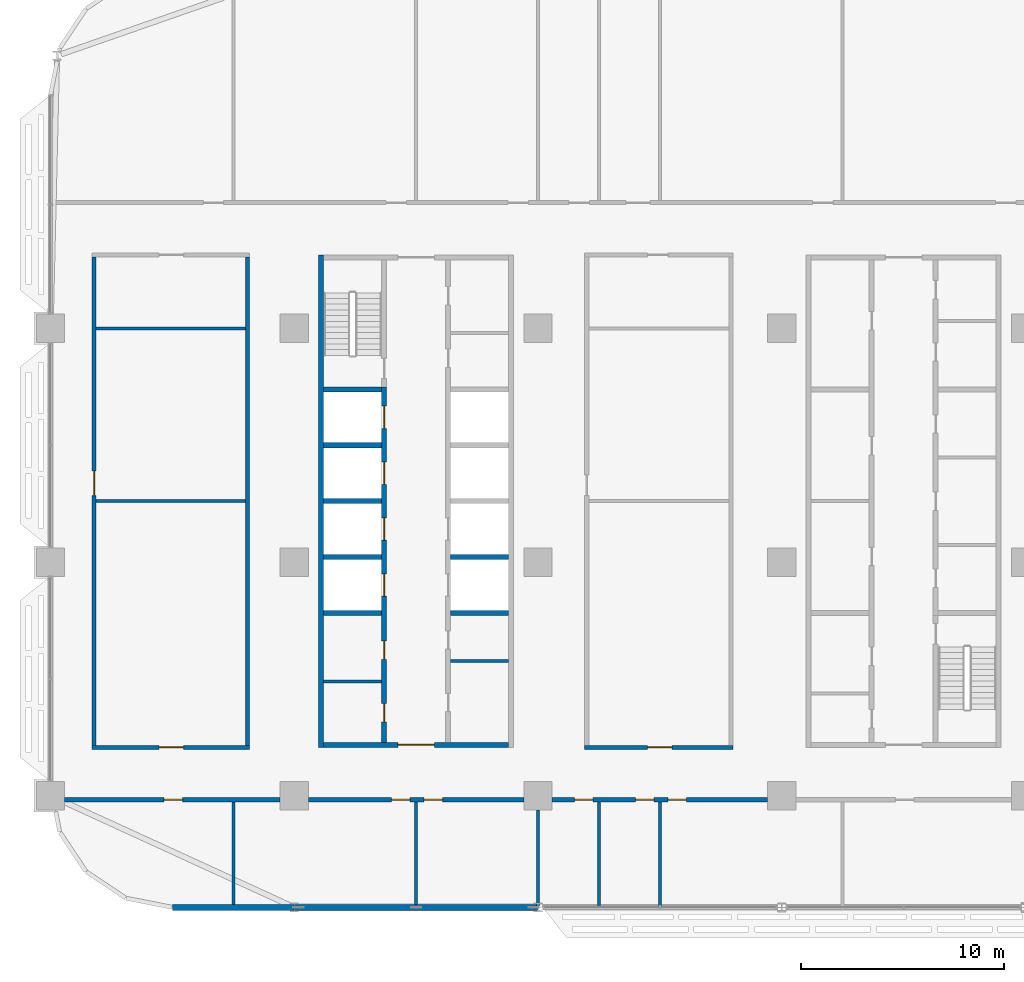
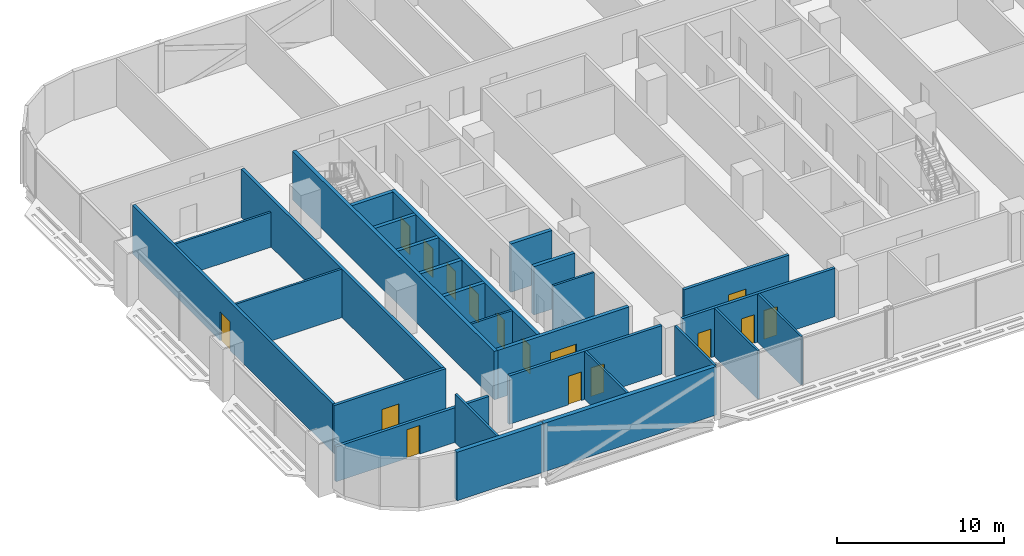
# One storey, part 12 of 29: 28 walls, 16 doors, 16 openings.
"""IFC4 building model written with IfcOpenShell, lengths in metres."""

from ifc_helpers import new_model, si_unit, direction, frame, frame_2d, origin, place, context, subcontext, project, spatial, rectangle, extrude, material, layer, layer_set, type_object, element, fill, save


model = new_model("IFC4")

# Units and contexts
model_context = context("Model", 3, precision=1e-05, world=origin(), true_north=direction((0.0, 1.0)))
body_context = subcontext(model_context, "Body", "Model", "MODEL_VIEW")
ifc_project = project(units=[si_unit("LENGTHUNIT", "METRE"), si_unit("AREAUNIT", "SQUARE_METRE"), si_unit("VOLUMEUNIT", "CUBIC_METRE"), si_unit("PLANEANGLEUNIT", "RADIAN"), si_unit("MASSUNIT", "GRAM", prefix="KILO")], contexts=[model_context])

# Site, building, storey
site_placement = place(None, origin())
site = spatial("IfcSite", under=ifc_project, at=site_placement, CompositionType="ELEMENT")
building_placement = place(site_placement, origin())
building = spatial("IfcBuilding", under=site, at=building_placement, Name="Mahtab Terrace Research Tower", CompositionType="ELEMENT")
storey_placement = place(building_placement, frame((0.0, 0.0, 113.5)))
storey = spatial("IfcBuildingStorey", under=building, at=storey_placement, Name="L26", CompositionType="ELEMENT", Elevation=113.5)

# Walls
ifc_material_1 = material(Name="Gypsum board partition")
ifc_layer_1 = layer(ifc_material_1, 0.14990234375)
ifc_layer_set_1 = layer_set([ifc_layer_1], Name="Core partition 150")
wall_type_1 = type_object("IfcWallType", Name="Core partition 150", PredefinedType="PARTITIONING", material=ifc_layer_set_1)
for number, where, z_axis, x_axis, name in (
    (1, (-28.550048828125, -5.875, 0.0), (0.0, 0.0, 1.0), (1.0, 0.0, 0.0), "Core wall A pWS-888"),
    (2, (-22.300048828125, -4.875, 0.0), (0.0, 0.0, 1.0), (1.0, 0.0, 0.0), "Core wall A pES-788"),
):
    element("IfcWall", number, at=place(storey_placement, frame(where, z_axis=z_axis, x_axis=x_axis)), inside=storey, type_object=wall_type_1, Name=name, PredefinedType="PARTITIONING", context=body_context, shape_type="SweptSolid", body=[
        extrude(rectangle(XDim=2.85009765625, YDim=0.14990234375, at=frame_2d((1.425048828125, 0.0))), origin(), (0.0, 0.0, 1.0), 3.550048828125),
    ])
ifc_material_2 = material(Name="Concrete C70/85", Category="concrete")
ifc_layer_2 = layer(ifc_material_2, 0.25)
ifc_layer_set_2 = layer_set([ifc_layer_2], Name="Core wall 250")
wall_type_2 = type_object("IfcWallType", Name="Core wall 250", PredefinedType="SOLIDWALL", material=ifc_layer_set_2)
wall_1_placement = place(storey_placement, frame((-28.675048828125, 15.125, 0.0), z_axis=(0.0, 0.0, 1.0), x_axis=(0.0, -1.0, 0.0)))
element("IfcWall", 3, at=wall_1_placement, inside=storey, type_object=wall_type_2, Name="Core wall A outerW", PredefinedType="SOLIDWALL", context=body_context, shape_type="SweptSolid", body=[
    extrude(rectangle(XDim=24.25, YDim=0.25, at=frame_2d((12.125, 0.0))), origin(), (0.0, 0.0, 1.0), 3.550048828125),
])

# Wall, opening, door
wall_2_placement = place(storey_placement, frame((-19.449951171875, -9.0, 0.0), z_axis=(0.0, 0.0, 1.0), x_axis=(-1.0, 0.0, 0.0)))
wall_2 = element("IfcWall", 4, at=wall_2_placement, inside=storey, type_object=wall_type_2, Name="Core wall A endS", PredefinedType="SOLIDWALL", context=body_context, shape_type="SweptSolid", body=[
    extrude(rectangle(XDim=9.10009765625, YDim=0.25, at=frame_2d((4.550048828125, 0.0))), origin(), (0.0, 0.0, 1.0), 3.550048828125),
])
opening_1_placement = place(wall_2_placement, frame((3.64990234375, 0.0, 0.0)))
opening_1 = element("IfcOpeningElement", 5, at=opening_1_placement, cuts=wall_2, Name="Opening A-S1", PredefinedType="OPENING", context=body_context, shape_type="SweptSolid", body=[
    extrude(rectangle(XDim=1.800048828125, YDim=2.10009765625, at=frame_2d((0.89990234375, 1.050048828125))), frame((0.0, 0.135009765625, 0.0), z_axis=(0.0, -1.0, 0.0), x_axis=(1.0, 0.0, 0.0)), (0.0, 0.0, 1.0), 0.27001953125),
])
ifc_material_3 = material(Name="Steel fire door", Category="steel")
door_type_1 = type_object("IfcDoorType", Name="Lobby double door 1800x2100 1 HR", OperationType="DOUBLE_DOOR_SINGLE_SWING", PredefinedType="DOOR", material=ifc_material_3)
door_1_placement = place(opening_1_placement, origin())
door_1 = element("IfcDoor", 6, at=door_1_placement, inside=storey, type_object=door_type_1, Name="Core entrance door A S", OperationType="DOUBLE_DOOR_SINGLE_SWING", OverallHeight=2.10009765625, OverallWidth=1.800048828125, PredefinedType="DOOR", context=body_context, shape_type="SweptSolid", body=[
    extrude(rectangle(XDim=1.800048828125, YDim=2.10009765625, at=frame_2d((0.89990234375, 1.050048828125))), frame((0.0, 0.02490234375, 0.0), z_axis=(0.0, -1.0, 0.0), x_axis=(1.0, 0.0, 0.0)), (0.0, 0.0, 1.0), 0.050048828125),
])
fill(opening_1, door_1)

# Wall, openings, doors
wall_3_placement = place(storey_placement, frame((-25.574951171875, -8.875, 0.0), z_axis=(0.0, 0.0, 1.0), x_axis=(0.0, 1.0, 0.0)))
wall_3 = element("IfcWall", 7, at=wall_3_placement, inside=storey, type_object=wall_type_2, Name="Core wall A innerWSL", PredefinedType="SOLIDWALL", context=body_context, shape_type="SweptSolid", body=[
    extrude(rectangle(XDim=17.5, YDim=0.25, at=frame_2d((8.75, 0.0))), origin(), (0.0, 0.0, 1.0), 3.550048828125),
])
opening_2_placement = place(wall_3_placement, frame((7.199951171875, 0.0, 0.0)))
opening_2 = element("IfcOpeningElement", 8, at=opening_2_placement, cuts=wall_3, Name="Opening LD01-L26", PredefinedType="OPENING", context=body_context, shape_type="SweptSolid", body=[
    extrude(rectangle(XDim=1.10009765625, YDim=2.10009765625, at=frame_2d((0.550048828125, 1.050048828125))), frame((0.0, 0.135009765625, 0.0), z_axis=(0.0, -1.0, 0.0), x_axis=(1.0, 0.0, 0.0)), (0.0, 0.0, 1.0), 0.27001953125),
])
opening_3_placement = place(wall_3_placement, frame((9.949951171875, 0.0, 0.0)))
opening_3 = element("IfcOpeningElement", 9, at=opening_3_placement, cuts=wall_3, Name="Opening LD02-L26", PredefinedType="OPENING", context=body_context, shape_type="SweptSolid", body=[
    extrude(rectangle(XDim=1.10009765625, YDim=2.10009765625, at=frame_2d((0.550048828125, 1.050048828125))), frame((0.0, 0.135009765625, 0.0), z_axis=(0.0, -1.0, 0.0), x_axis=(1.0, 0.0, 0.0)), (0.0, 0.0, 1.0), 0.27001953125),
])
opening_4_placement = place(wall_3_placement, frame((12.699951171875, 0.0, 0.0)))
opening_4 = element("IfcOpeningElement", 10, at=opening_4_placement, cuts=wall_3, Name="Opening LD03-L26", PredefinedType="OPENING", context=body_context, shape_type="SweptSolid", body=[
    extrude(rectangle(XDim=1.10009765625, YDim=2.10009765625, at=frame_2d((0.550048828125, 1.050048828125))), frame((0.0, 0.135009765625, 0.0), z_axis=(0.0, -1.0, 0.0), x_axis=(1.0, 0.0, 0.0)), (0.0, 0.0, 1.0), 0.27001953125),
])
opening_5_placement = place(wall_3_placement, frame((15.449951171875, 0.0, 0.0)))
opening_5 = element("IfcOpeningElement", 11, at=opening_5_placement, cuts=wall_3, Name="Opening LD04-L26", PredefinedType="OPENING", context=body_context, shape_type="SweptSolid", body=[
    extrude(rectangle(XDim=1.10009765625, YDim=2.10009765625, at=frame_2d((0.550048828125, 1.050048828125))), frame((0.0, 0.135009765625, 0.0), z_axis=(0.0, -1.0, 0.0), x_axis=(1.0, 0.0, 0.0)), (0.0, 0.0, 1.0), 0.27001953125),
])
opening_6_placement = place(wall_3_placement, frame((1.012451171875, 0.0, 0.0)))
opening_6 = element("IfcOpeningElement", 12, at=opening_6_placement, cuts=wall_3, Name="Opening A-R1", PredefinedType="OPENING", context=body_context, shape_type="SweptSolid", body=[
    extrude(rectangle(XDim=0.89990234375, YDim=2.10009765625, at=frame_2d((0.449951171875, 1.050048828125))), frame((0.0, 0.135009765625, 0.0), z_axis=(0.0, -1.0, 0.0), x_axis=(1.0, 0.0, 0.0)), (0.0, 0.0, 1.0), 0.27001953125),
])
opening_7_placement = place(wall_3_placement, frame((4.08740234375, 0.0, 0.0)))
opening_7 = element("IfcOpeningElement", 13, at=opening_7_placement, cuts=wall_3, Name="Opening A-R2", PredefinedType="OPENING", context=body_context, shape_type="SweptSolid", body=[
    extrude(rectangle(XDim=0.89990234375, YDim=2.10009765625, at=frame_2d((0.449951171875, 1.050048828125))), frame((0.0, 0.135009765625, 0.0), z_axis=(0.0, -1.0, 0.0), x_axis=(1.0, 0.0, 0.0)), (0.0, 0.0, 1.0), 0.27001953125),
])
ifc_material_4 = material(Name="Stainless steel AISI 304", Category="steel")
door_type_2 = type_object("IfcDoorType", Name="Landing door 1100x2100", OperationType="DOUBLE_DOOR_SLIDING", PredefinedType="DOOR", material=ifc_material_4)
door_2_placement = place(opening_2_placement, origin())
door_2 = element("IfcDoor", 14, at=door_2_placement, inside=storey, type_object=door_type_2, Name="Landing door LR1 L26", OperationType="DOUBLE_DOOR_SLIDING", OverallHeight=2.10009765625, OverallWidth=1.10009765625, PredefinedType="DOOR", context=body_context, shape_type="SweptSolid", body=[
    extrude(rectangle(XDim=1.10009765625, YDim=2.10009765625, at=frame_2d((0.550048828125, 1.050048828125))), frame((0.0, 0.02490234375, 0.0), z_axis=(0.0, -1.0, 0.0), x_axis=(1.0, 0.0, 0.0)), (0.0, 0.0, 1.0), 0.050048828125),
])
fill(opening_2, door_2)
door_3_placement = place(opening_3_placement, origin())
door_3 = element("IfcDoor", 15, at=door_3_placement, inside=storey, type_object=door_type_2, Name="Landing door LR2 L26", OperationType="DOUBLE_DOOR_SLIDING", OverallHeight=2.10009765625, OverallWidth=1.10009765625, PredefinedType="DOOR", context=body_context, shape_type="SweptSolid", body=[
    extrude(rectangle(XDim=1.10009765625, YDim=2.10009765625, at=frame_2d((0.550048828125, 1.050048828125))), frame((0.0, 0.02490234375, 0.0), z_axis=(0.0, -1.0, 0.0), x_axis=(1.0, 0.0, 0.0)), (0.0, 0.0, 1.0), 0.050048828125),
])
fill(opening_3, door_3)
door_4_placement = place(opening_4_placement, origin())
door_4 = element("IfcDoor", 16, at=door_4_placement, inside=storey, type_object=door_type_2, Name="Landing door LR3 L26", OperationType="DOUBLE_DOOR_SLIDING", OverallHeight=2.10009765625, OverallWidth=1.10009765625, PredefinedType="DOOR", context=body_context, shape_type="SweptSolid", body=[
    extrude(rectangle(XDim=1.10009765625, YDim=2.10009765625, at=frame_2d((0.550048828125, 1.050048828125))), frame((0.0, 0.02490234375, 0.0), z_axis=(0.0, -1.0, 0.0), x_axis=(1.0, 0.0, 0.0)), (0.0, 0.0, 1.0), 0.050048828125),
])
fill(opening_4, door_4)
door_5_placement = place(opening_5_placement, origin())
door_5 = element("IfcDoor", 17, at=door_5_placement, inside=storey, type_object=door_type_2, Name="Landing door LR4 L26", OperationType="DOUBLE_DOOR_SLIDING", OverallHeight=2.10009765625, OverallWidth=1.10009765625, PredefinedType="DOOR", context=body_context, shape_type="SweptSolid", body=[
    extrude(rectangle(XDim=1.10009765625, YDim=2.10009765625, at=frame_2d((0.550048828125, 1.050048828125))), frame((0.0, 0.02490234375, 0.0), z_axis=(0.0, -1.0, 0.0), x_axis=(1.0, 0.0, 0.0)), (0.0, 0.0, 1.0), 0.050048828125),
])
fill(opening_5, door_5)
door_type_3 = type_object("IfcDoorType", Name="Room door 900x2100 1 HR", OperationType="NOTDEFINED", PredefinedType="DOOR", material=ifc_material_3)
door_6_placement = place(opening_6_placement, origin())
door_6 = element("IfcDoor", 18, at=door_6_placement, inside=storey, type_object=door_type_3, Name="Staff WC door", OperationType="SINGLE_SWING_LEFT", OverallHeight=2.10009765625, OverallWidth=0.89990234375, PredefinedType="DOOR", context=body_context, shape_type="SweptSolid", body=[
    extrude(rectangle(XDim=0.89990234375, YDim=2.10009765625, at=frame_2d((0.449951171875, 1.050048828125))), frame((0.0, 0.02490234375, 0.0), z_axis=(0.0, -1.0, 0.0), x_axis=(1.0, 0.0, 0.0)), (0.0, 0.0, 1.0), 0.050048828125),
])
fill(opening_6, door_6)
door_7_placement = place(opening_7_placement, origin())
door_7 = element("IfcDoor", 19, at=door_7_placement, inside=storey, type_object=door_type_3, Name="Accessible WC door", OperationType="SINGLE_SWING_RIGHT", OverallHeight=2.10009765625, OverallWidth=0.89990234375, PredefinedType="DOOR", context=body_context, shape_type="SweptSolid", body=[
    extrude(rectangle(XDim=0.89990234375, YDim=2.10009765625, at=frame_2d((0.449951171875, 1.050048828125))), frame((0.0, 0.02490234375, 0.0), z_axis=(0.0, -1.0, 0.0), x_axis=(1.0, 0.0, 0.0)), (0.0, 0.0, 1.0), 0.050048828125),
])
fill(opening_7, door_7)

# Walls
for number, where, z_axis, x_axis, name in (
    (20, (-28.550048828125, -2.5, 0.0), (0.0, 0.0, 1.0), (1.0, 0.0, 0.0), "Core wall A divW0"),
    (21, (-28.550048828125, 0.25, 0.0), (0.0, 0.0, 1.0), (1.0, 0.0, 0.0), "Core wall A divW1"),
    (22, (-28.550048828125, 3.0, 0.0), (0.0, 0.0, 1.0), (1.0, 0.0, 0.0), "Core wall A divW2"),
    (23, (-28.550048828125, 5.75, 0.0), (0.0, 0.0, 1.0), (1.0, 0.0, 0.0), "Core wall A divW3"),
    (24, (-28.550048828125, 8.5, 0.0), (0.0, 0.0, 1.0), (1.0, 0.0, 0.0), "Core wall A divW4"),
    (25, (-22.300048828125, -2.5, 0.0), (0.0, 0.0, 1.0), (1.0, 0.0, 0.0), "Core wall A divE0"),
    (26, (-22.300048828125, 0.25, 0.0), (0.0, 0.0, 1.0), (1.0, 0.0, 0.0), "Core wall A divE1"),
):
    element("IfcWall", number, at=place(storey_placement, frame(where, z_axis=z_axis, x_axis=x_axis)), inside=storey, type_object=wall_type_2, Name=name, PredefinedType="SOLIDWALL", context=body_context, shape_type="SweptSolid", body=[
        extrude(rectangle(XDim=2.85009765625, YDim=0.25, at=frame_2d((1.425048828125, 0.0))), origin(), (0.0, 0.0, 1.0), 3.550048828125),
    ])
ifc_material_5 = material(Name="Black aluminium cladding panel", Category="aluminium")
ifc_layer_3 = layer(ifc_material_5, 0.300048828125)
ifc_layer_set_3 = layer_set([ifc_layer_3], Name="Opaque facade wall 300")
wall_type_3 = type_object("IfcWallType", Name="Opaque facade wall 300", PredefinedType="NOTDEFINED", material=ifc_layer_set_3)
wall_4_placement = place(storey_placement, frame((-36.0, -17.0, 0.0), z_axis=(0.0, 0.0, 1.0), x_axis=(1.0, 0.0, 0.0)))
element("IfcWall", 27, at=wall_4_placement, inside=storey, type_object=wall_type_3, Name="Opaque facade wall L26 S23", PredefinedType="NOTDEFINED", context=body_context, shape_type="SweptSolid", body=[
    extrude(rectangle(XDim=5.97900390625, YDim=0.300048828125, at=frame_2d((2.989501953125, 0.0))), origin(), (0.0, 0.0, 1.0), 3.550048828125),
])
wall_5_placement = place(storey_placement, frame((-29.97900390625, -17.0, 0.0), z_axis=(0.0, 0.0, 1.0), x_axis=(1.0, 0.0, 0.0)))
element("IfcWall", 28, at=wall_5_placement, inside=storey, type_object=wall_type_3, Name="Opaque facade wall L26 S24", PredefinedType="NOTDEFINED", context=body_context, shape_type="SweptSolid", body=[
    extrude(rectangle(XDim=11.9580078125, YDim=0.300048828125, at=frame_2d((5.97900390625, 0.0))), origin(), (0.0, 0.0, 1.0), 3.550048828125),
])

# Wall, opening, door
ifc_material_6 = material(Name="Gypsum board corridor wall on steel studs", Category="steel")
ifc_layer_4 = layer(ifc_material_6, 0.199951171875)
ifc_layer_set_4 = layer_set([ifc_layer_4], Name="WALL CORRIDOR 200")
wall_type_4 = type_object("IfcWallType", Name="WALL CORRIDOR 200", PredefinedType="PARTITIONING", material=ifc_layer_set_4)
wall_6_placement = place(storey_placement, frame((-41.300048828125, -11.699951171875, 0.0), z_axis=(0.0, 0.0, 1.0), x_axis=(1.0, 0.0, 0.0)))
wall_6 = element("IfcWall", 29, at=wall_6_placement, inside=storey, type_object=wall_type_4, Name="L26-W001", PredefinedType="PARTITIONING", context=body_context, shape_type="SweptSolid", body=[
    extrude(rectangle(XDim=10.60009765625, YDim=0.199951171875, at=frame_2d((5.300048828125, 0.0))), origin(), (0.0, 0.0, 1.0), 2.55126953125),
])
opening_8_placement = place(wall_6_placement, frame((4.89990234375, 0.0, 0.0)))
opening_8 = element("IfcOpeningElement", 30, at=opening_8_placement, cuts=wall_6, Name="Opening L26-101", PredefinedType="OPENING", context=body_context, shape_type="SweptSolid", body=[
    extrude(rectangle(XDim=0.89990234375, YDim=2.10009765625, at=frame_2d((0.449951171875, 1.050048828125))), frame((0.0, 0.10986328125, 0.0), z_axis=(0.0, -1.0, 0.0), x_axis=(1.0, 0.0, 0.0)), (0.0, 0.0, 1.0), 0.219970703125),
])
ifc_material_7 = material(Name="Timber door leaf in steel frame", Category="steel")
door_type_4 = type_object("IfcDoorType", Name="DOOR 0900X2100 FD30S", OperationType="SINGLE_SWING_LEFT", PredefinedType="DOOR", material=ifc_material_7)
door_8_placement = place(opening_8_placement, origin())
door_8 = element("IfcDoor", 31, at=door_8_placement, inside=storey, type_object=door_type_4, Name="Door L26-101", OperationType="SINGLE_SWING_LEFT", OverallHeight=2.10009765625, OverallWidth=0.89990234375, PredefinedType="DOOR", context=body_context, shape_type="SweptSolid", body=[
    extrude(rectangle(XDim=0.89990234375, YDim=2.10009765625, at=frame_2d((0.449951171875, 1.050048828125))), frame((0.0, 0.02490234375, 0.0), z_axis=(0.0, -1.0, 0.0), x_axis=(1.0, 0.0, 0.0)), (0.0, 0.0, 1.0), 0.050048828125),
])
fill(opening_8, door_8)

# Wall, openings, doors
wall_7_placement = place(storey_placement, frame((-29.300048828125, -11.699951171875, 0.0), z_axis=(0.0, 0.0, 1.0), x_axis=(1.0, 0.0, 0.0)))
wall_7 = element("IfcWall", 32, at=wall_7_placement, inside=storey, type_object=wall_type_4, Name="L26-W002", PredefinedType="PARTITIONING", context=body_context, shape_type="SweptSolid", body=[
    extrude(rectangle(XDim=10.60009765625, YDim=0.199951171875, at=frame_2d((5.300048828125, 0.0))), origin(), (0.0, 0.0, 1.0), 3.550048828125),
])
opening_9_placement = place(wall_7_placement, frame((4.10009765625, 0.0, 0.0)))
opening_9 = element("IfcOpeningElement", 33, at=opening_9_placement, cuts=wall_7, Name="Opening L26-102", PredefinedType="OPENING", context=body_context, shape_type="SweptSolid", body=[
    extrude(rectangle(XDim=0.89990234375, YDim=2.10009765625, at=frame_2d((0.449951171875, 1.050048828125))), frame((0.0, 0.10986328125, 0.0), z_axis=(0.0, -1.0, 0.0), x_axis=(1.0, 0.0, 0.0)), (0.0, 0.0, 1.0), 0.219970703125),
])
opening_10_placement = place(wall_7_placement, frame((5.699951171875, 0.0, 0.0)))
opening_10 = element("IfcOpeningElement", 34, at=opening_10_placement, cuts=wall_7, Name="Opening L26-103", PredefinedType="OPENING", context=body_context, shape_type="SweptSolid", body=[
    extrude(rectangle(XDim=0.89990234375, YDim=2.10009765625, at=frame_2d((0.449951171875, 1.050048828125))), frame((0.0, 0.10986328125, 0.0), z_axis=(0.0, -1.0, 0.0), x_axis=(1.0, 0.0, 0.0)), (0.0, 0.0, 1.0), 0.219970703125),
])
door_9_placement = place(opening_9_placement, origin())
door_9 = element("IfcDoor", 35, at=door_9_placement, inside=storey, type_object=door_type_4, Name="Door L26-102", OperationType="SINGLE_SWING_RIGHT", OverallHeight=2.10009765625, OverallWidth=0.89990234375, PredefinedType="DOOR", context=body_context, shape_type="SweptSolid", body=[
    extrude(rectangle(XDim=0.89990234375, YDim=2.10009765625, at=frame_2d((0.449951171875, 1.050048828125))), frame((0.0, 0.02490234375, 0.0), z_axis=(0.0, -1.0, 0.0), x_axis=(1.0, 0.0, 0.0)), (0.0, 0.0, 1.0), 0.050048828125),
])
fill(opening_9, door_9)
door_10_placement = place(opening_10_placement, origin())
door_10 = element("IfcDoor", 36, at=door_10_placement, inside=storey, type_object=door_type_4, Name="Door L26-103", OperationType="SINGLE_SWING_LEFT", OverallHeight=2.10009765625, OverallWidth=0.89990234375, PredefinedType="DOOR", context=body_context, shape_type="SweptSolid", body=[
    extrude(rectangle(XDim=0.89990234375, YDim=2.10009765625, at=frame_2d((0.449951171875, 1.050048828125))), frame((0.0, 0.02490234375, 0.0), z_axis=(0.0, -1.0, 0.0), x_axis=(1.0, 0.0, 0.0)), (0.0, 0.0, 1.0), 0.050048828125),
])
fill(opening_10, door_10)

wall_8_placement = place(storey_placement, frame((-17.300048828125, -11.699951171875, 0.0), z_axis=(0.0, 0.0, 1.0), x_axis=(1.0, 0.0, 0.0)))
wall_8 = element("IfcWall", 37, at=wall_8_placement, inside=storey, type_object=wall_type_4, Name="L26-W003", PredefinedType="PARTITIONING", context=body_context, shape_type="SweptSolid", body=[
    extrude(rectangle(XDim=10.60009765625, YDim=0.199951171875, at=frame_2d((5.300048828125, 0.0))), origin(), (0.0, 0.0, 1.0), 3.550048828125),
])
opening_11_placement = place(wall_8_placement, frame((1.10009765625, 0.0, 0.0)))
opening_11 = element("IfcOpeningElement", 38, at=opening_11_placement, cuts=wall_8, Name="Opening L26-104", PredefinedType="OPENING", context=body_context, shape_type="SweptSolid", body=[
    extrude(rectangle(XDim=0.89990234375, YDim=2.10009765625, at=frame_2d((0.449951171875, 1.050048828125))), frame((0.0, 0.10986328125, 0.0), z_axis=(0.0, -1.0, 0.0), x_axis=(1.0, 0.0, 0.0)), (0.0, 0.0, 1.0), 0.219970703125),
])
opening_12_placement = place(wall_8_placement, frame((4.10009765625, 0.0, 0.0)))
opening_12 = element("IfcOpeningElement", 39, at=opening_12_placement, cuts=wall_8, Name="Opening L26-105", PredefinedType="OPENING", context=body_context, shape_type="SweptSolid", body=[
    extrude(rectangle(XDim=0.89990234375, YDim=2.10009765625, at=frame_2d((0.449951171875, 1.050048828125))), frame((0.0, 0.10986328125, 0.0), z_axis=(0.0, -1.0, 0.0), x_axis=(1.0, 0.0, 0.0)), (0.0, 0.0, 1.0), 0.219970703125),
])
opening_13_placement = place(wall_8_placement, frame((5.699951171875, 0.0, 0.0)))
opening_13 = element("IfcOpeningElement", 40, at=opening_13_placement, cuts=wall_8, Name="Opening L26-106", PredefinedType="OPENING", context=body_context, shape_type="SweptSolid", body=[
    extrude(rectangle(XDim=0.89990234375, YDim=2.10009765625, at=frame_2d((0.449951171875, 1.050048828125))), frame((0.0, 0.10986328125, 0.0), z_axis=(0.0, -1.0, 0.0), x_axis=(1.0, 0.0, 0.0)), (0.0, 0.0, 1.0), 0.219970703125),
])
door_11_placement = place(opening_11_placement, origin())
door_11 = element("IfcDoor", 41, at=door_11_placement, inside=storey, type_object=door_type_4, Name="Door L26-104", OperationType="SINGLE_SWING_RIGHT", OverallHeight=2.10009765625, OverallWidth=0.89990234375, PredefinedType="DOOR", context=body_context, shape_type="SweptSolid", body=[
    extrude(rectangle(XDim=0.89990234375, YDim=2.10009765625, at=frame_2d((0.449951171875, 1.050048828125))), frame((0.0, 0.02490234375, 0.0), z_axis=(0.0, -1.0, 0.0), x_axis=(1.0, 0.0, 0.0)), (0.0, 0.0, 1.0), 0.050048828125),
])
fill(opening_11, door_11)
door_12_placement = place(opening_12_placement, origin())
door_12 = element("IfcDoor", 42, at=door_12_placement, inside=storey, type_object=door_type_4, Name="Door L26-105", OperationType="SINGLE_SWING_RIGHT", OverallHeight=2.10009765625, OverallWidth=0.89990234375, PredefinedType="DOOR", context=body_context, shape_type="SweptSolid", body=[
    extrude(rectangle(XDim=0.89990234375, YDim=2.10009765625, at=frame_2d((0.449951171875, 1.050048828125))), frame((0.0, 0.02490234375, 0.0), z_axis=(0.0, -1.0, 0.0), x_axis=(1.0, 0.0, 0.0)), (0.0, 0.0, 1.0), 0.050048828125),
])
fill(opening_12, door_12)
door_13_placement = place(opening_13_placement, origin())
door_13 = element("IfcDoor", 43, at=door_13_placement, inside=storey, type_object=door_type_4, Name="Door L26-106", OperationType="SINGLE_SWING_LEFT", OverallHeight=2.10009765625, OverallWidth=0.89990234375, PredefinedType="DOOR", context=body_context, shape_type="SweptSolid", body=[
    extrude(rectangle(XDim=0.89990234375, YDim=2.10009765625, at=frame_2d((0.449951171875, 1.050048828125))), frame((0.0, 0.02490234375, 0.0), z_axis=(0.0, -1.0, 0.0), x_axis=(1.0, 0.0, 0.0)), (0.0, 0.0, 1.0), 0.050048828125),
])
fill(opening_13, door_13)

# Wall, opening, door
wall_9_placement = place(storey_placement, frame((-39.949951171875, -9.125, 0.0), z_axis=(0.0, 0.0, 1.0), x_axis=(1.0, 0.0, 0.0)))
wall_9 = element("IfcWall", 44, at=wall_9_placement, inside=storey, type_object=wall_type_4, Name="L26-W009", PredefinedType="PARTITIONING", context=body_context, shape_type="SweptSolid", body=[
    extrude(rectangle(XDim=7.75, YDim=0.199951171875, at=frame_2d((3.875, 0.0))), origin(), (0.0, 0.0, 1.0), 3.550048828125),
])
opening_14_placement = place(wall_9_placement, frame((3.300048828125, 0.0, 0.0)))
opening_14 = element("IfcOpeningElement", 45, at=opening_14_placement, cuts=wall_9, Name="Opening L26-117", PredefinedType="OPENING", context=body_context, shape_type="SweptSolid", body=[
    extrude(rectangle(XDim=1.199951171875, YDim=2.10009765625, at=frame_2d((0.60009765625, 1.050048828125))), frame((0.0, 0.10986328125, 0.0), z_axis=(0.0, -1.0, 0.0), x_axis=(1.0, 0.0, 0.0)), (0.0, 0.0, 1.0), 0.219970703125),
])
door_type_5 = type_object("IfcDoorType", Name="DOOR 1200X2100 FD30S", OperationType="SINGLE_SWING_LEFT", PredefinedType="DOOR", material=ifc_material_7)
door_14_placement = place(opening_14_placement, origin())
door_14 = element("IfcDoor", 46, at=door_14_placement, inside=storey, type_object=door_type_5, Name="Door L26-117", OperationType="SINGLE_SWING_RIGHT", OverallHeight=2.10009765625, OverallWidth=1.199951171875, PredefinedType="DOOR", context=body_context, shape_type="SweptSolid", body=[
    extrude(rectangle(XDim=1.199951171875, YDim=2.10009765625, at=frame_2d((0.60009765625, 1.050048828125))), frame((0.0, 0.02490234375, 0.0), z_axis=(0.0, -1.0, 0.0), x_axis=(1.0, 0.0, 0.0)), (0.0, 0.0, 1.0), 0.050048828125),
])
fill(opening_14, door_14)

wall_10_placement = place(storey_placement, frame((-15.699951171875, -9.125, 0.0), z_axis=(0.0, 0.0, 1.0), x_axis=(1.0, 0.0, 0.0)))
wall_10 = element("IfcWall", 47, at=wall_10_placement, inside=storey, type_object=wall_type_4, Name="L26-W010", PredefinedType="PARTITIONING", context=body_context, shape_type="SweptSolid", body=[
    extrude(rectangle(XDim=7.300048828125, YDim=0.199951171875, at=frame_2d((3.64990234375, 0.0))), origin(), (0.0, 0.0, 1.0), 3.550048828125),
])
opening_15_placement = place(wall_10_placement, frame((3.10009765625, 0.0, 0.0)))
opening_15 = element("IfcOpeningElement", 48, at=opening_15_placement, cuts=wall_10, Name="Opening L26-118", PredefinedType="OPENING", context=body_context, shape_type="SweptSolid", body=[
    extrude(rectangle(XDim=1.199951171875, YDim=2.10009765625, at=frame_2d((0.60009765625, 1.050048828125))), frame((0.0, 0.10986328125, 0.0), z_axis=(0.0, -1.0, 0.0), x_axis=(1.0, 0.0, 0.0)), (0.0, 0.0, 1.0), 0.219970703125),
])
door_15_placement = place(opening_15_placement, origin())
door_15 = element("IfcDoor", 49, at=door_15_placement, inside=storey, type_object=door_type_5, Name="Door L26-118", OperationType="SINGLE_SWING_RIGHT", OverallHeight=2.10009765625, OverallWidth=1.199951171875, PredefinedType="DOOR", context=body_context, shape_type="SweptSolid", body=[
    extrude(rectangle(XDim=1.199951171875, YDim=2.10009765625, at=frame_2d((0.60009765625, 1.050048828125))), frame((0.0, 0.02490234375, 0.0), z_axis=(0.0, -1.0, 0.0), x_axis=(1.0, 0.0, 0.0)), (0.0, 0.0, 1.0), 0.050048828125),
])
fill(opening_15, door_15)

wall_11_placement = place(storey_placement, frame((-39.85009765625, -9.02490234375, 0.0), z_axis=(0.0, 0.0, 1.0), x_axis=(0.0, 1.0, 0.0)))
wall_11 = element("IfcWall", 50, at=wall_11_placement, inside=storey, type_object=wall_type_4, Name="L26-W027", PredefinedType="PARTITIONING", context=body_context, shape_type="SweptSolid", body=[
    extrude(rectangle(XDim=24.0498046875, YDim=0.199951171875, at=frame_2d((12.02490234375, 0.0))), origin(), (0.0, 0.0, 1.0), 3.550048828125),
])
opening_16_placement = place(wall_11_placement, frame((12.300048828125, 0.0, 0.0)))
opening_16 = element("IfcOpeningElement", 51, at=opening_16_placement, cuts=wall_11, Name="Opening L26-122", PredefinedType="OPENING", context=body_context, shape_type="SweptSolid", body=[
    extrude(rectangle(XDim=1.199951171875, YDim=2.10009765625, at=frame_2d((0.60009765625, 1.050048828125))), frame((0.0, 0.10986328125, 0.0), z_axis=(0.0, -1.0, 0.0), x_axis=(1.0, 0.0, 0.0)), (0.0, 0.0, 1.0), 0.219970703125),
])
door_16_placement = place(opening_16_placement, origin())
door_16 = element("IfcDoor", 52, at=door_16_placement, inside=storey, type_object=door_type_5, Name="Door L26-122", OperationType="SINGLE_SWING_LEFT", OverallHeight=2.10009765625, OverallWidth=1.199951171875, PredefinedType="DOOR", context=body_context, shape_type="SweptSolid", body=[
    extrude(rectangle(XDim=1.199951171875, YDim=2.10009765625, at=frame_2d((0.60009765625, 1.050048828125))), frame((0.0, 0.02490234375, 0.0), z_axis=(0.0, -1.0, 0.0), x_axis=(1.0, 0.0, 0.0)), (0.0, 0.0, 1.0), 0.050048828125),
])
fill(opening_16, door_16)

# Walls
wall_12_placement = place(storey_placement, frame((-32.300048828125, -9.02490234375, 0.0), z_axis=(0.0, 0.0, 1.0), x_axis=(0.0, 1.0, 0.0)))
element("IfcWall", 53, at=wall_12_placement, inside=storey, type_object=wall_type_4, Name="L26-W030", PredefinedType="PARTITIONING", context=body_context, shape_type="SweptSolid", body=[
    extrude(rectangle(XDim=24.0498046875, YDim=0.199951171875, at=frame_2d((12.02490234375, 0.0))), origin(), (0.0, 0.0, 1.0), 3.550048828125),
])
ifc_material_8 = material(Name="Gypsum board partition on steel studs", Category="steel")
ifc_layer_5 = layer(ifc_material_8, 0.14990234375)
ifc_layer_set_5 = layer_set([ifc_layer_5], Name="WALL PARTITION 150")
wall_type_5 = type_object("IfcWallType", Name="WALL PARTITION 150", PredefinedType="PARTITIONING", material=ifc_layer_set_5)
wall_13_placement = place(storey_placement, frame((-39.75, 3.0, 0.0), z_axis=(0.0, 0.0, 1.0), x_axis=(1.0, 0.0, 0.0)))
element("IfcWall", 54, at=wall_13_placement, inside=storey, type_object=wall_type_5, Name="L26-W013", PredefinedType="PARTITIONING", context=body_context, shape_type="SweptSolid", body=[
    extrude(rectangle(XDim=7.35009765625, YDim=0.14990234375, at=frame_2d((3.675048828125, 0.0))), origin(), (0.0, 0.0, 1.0), 3.550048828125),
])
wall_14_placement = place(storey_placement, frame((-39.75, 11.5, 0.0), z_axis=(0.0, 0.0, 1.0), x_axis=(1.0, 0.0, 0.0)))
element("IfcWall", 55, at=wall_14_placement, inside=storey, type_object=wall_type_5, Name="L26-W017", PredefinedType="PARTITIONING", context=body_context, shape_type="SweptSolid", body=[
    extrude(rectangle(XDim=7.35009765625, YDim=0.14990234375, at=frame_2d((3.675048828125, 0.0))), origin(), (0.0, 0.0, 1.0), 2.55126953125),
])
for number, where, z_axis, x_axis, name in (
    (56, (-33.0, -16.85009765625, 0.0), (0.0, 0.0, 1.0), (0.0, 1.0, 0.0), "L26-W028"),
    (57, (-24.0, -16.85009765625, 0.0), (0.0, 0.0, 1.0), (0.0, 1.0, 0.0), "L26-W031"),
):
    element("IfcWall", number, at=place(storey_placement, frame(where, z_axis=z_axis, x_axis=x_axis)), inside=storey, type_object=wall_type_5, Name=name, PredefinedType="PARTITIONING", context=body_context, shape_type="SweptSolid", body=[
        extrude(rectangle(XDim=5.050048828125, YDim=0.14990234375, at=frame_2d((2.52490234375, 0.0))), origin(), (0.0, 0.0, 1.0), 3.550048828125),
    ])
wall_15_placement = place(storey_placement, frame((-18.0, -16.97509765625, 0.0), z_axis=(0.0, 0.0, 1.0), x_axis=(0.0, 1.0, 0.0)))
element("IfcWall", 58, at=wall_15_placement, inside=storey, type_object=wall_type_5, Name="L26-W033", PredefinedType="PARTITIONING", context=body_context, shape_type="SweptSolid", body=[
    extrude(rectangle(XDim=4.775146484375, YDim=0.14990234375, at=frame_2d((2.3876953125, 0.0))), origin(), (0.0, 0.0, 1.0), 3.550048828125),
])
for number, where, z_axis, x_axis, name in (
    (59, (-15.0, -16.97509765625, 0.0), (0.0, 0.0, 1.0), (0.0, 1.0, 0.0), "L26-W036"),
    (60, (-12.0, -16.97509765625, 0.0), (0.0, 0.0, 1.0), (0.0, 1.0, 0.0), "L26-W038"),
):
    element("IfcWall", number, at=place(storey_placement, frame(where, z_axis=z_axis, x_axis=x_axis)), inside=storey, type_object=wall_type_5, Name=name, PredefinedType="PARTITIONING", context=body_context, shape_type="SweptSolid", body=[
        extrude(rectangle(XDim=5.175048828125, YDim=0.14990234375, at=frame_2d((2.58740234375, 0.0))), origin(), (0.0, 0.0, 1.0), 3.550048828125),
    ])

save(model, "model.ifc")
